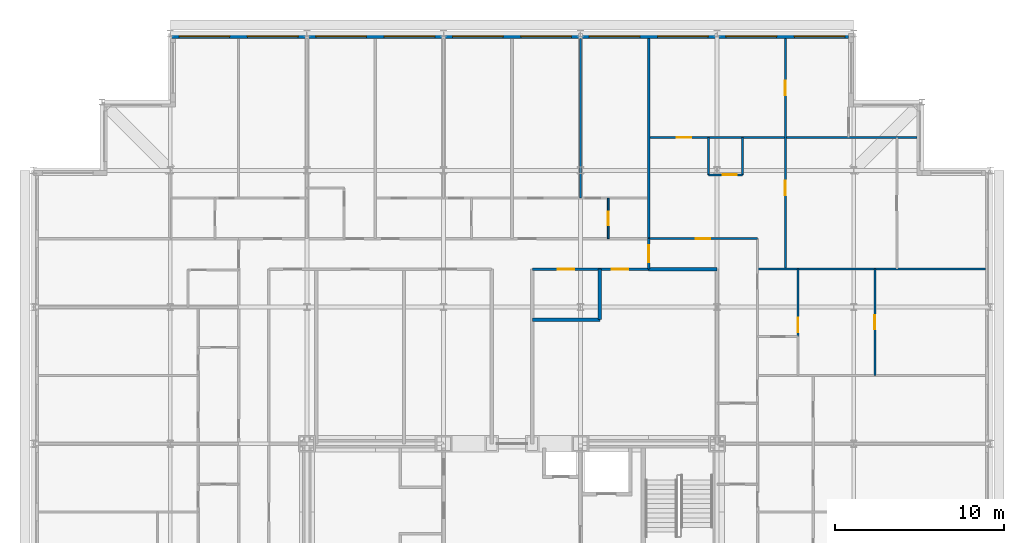
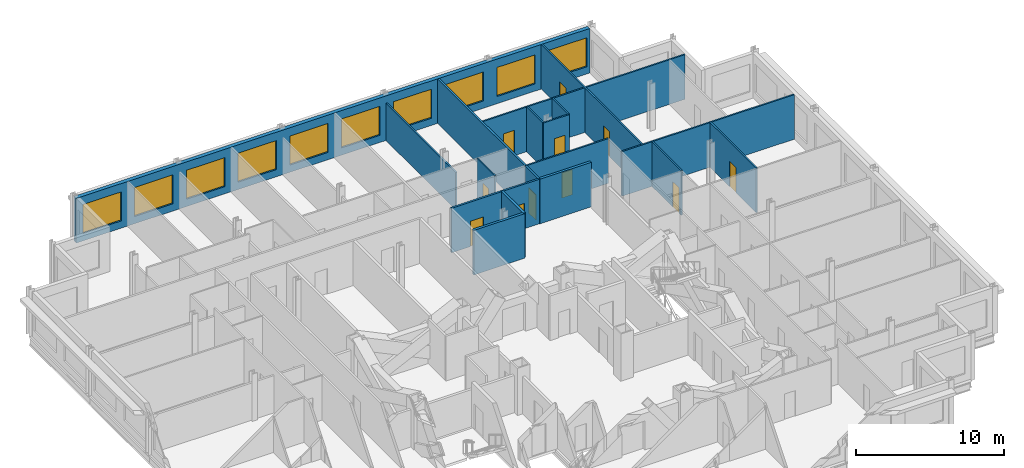
# One storey, part 13 of 15: 18 walls, 11 doors, 10 windows, 21 openings.
"""IFC4 building model written with IfcOpenShell, lengths in metres."""

from ifc_helpers import new_model, si_unit, direction, frame, frame_2d, origin, place, context, subcontext, project, spatial, rectangle, extrude, material, layer, layer_set, type_object, element, fill, save


model = new_model("IFC4")

# Units and contexts
model_context = context("Model", 3, precision=1e-05, world=origin(), true_north=direction((0.0, 1.0)))
body_context = subcontext(model_context, "Body", "Model", "MODEL_VIEW")
ifc_project = project(units=[si_unit("LENGTHUNIT", "METRE"), si_unit("AREAUNIT", "SQUARE_METRE"), si_unit("VOLUMEUNIT", "CUBIC_METRE"), si_unit("PLANEANGLEUNIT", "RADIAN"), si_unit("MASSUNIT", "GRAM", prefix="KILO")], contexts=[model_context])

# Site, building, storey
site_placement = place(None, origin())
site = spatial("IfcSite", under=ifc_project, at=site_placement, CompositionType="ELEMENT")
building_placement = place(site_placement, origin())
building = spatial("IfcBuilding", under=site, at=building_placement, Name="Kopane Lantern Tower", CompositionType="ELEMENT")
storey_placement = place(building_placement, frame((0.0, 0.0, 277.5)))
storey = spatial("IfcBuildingStorey", under=building, at=storey_placement, Name="L71", CompositionType="ELEMENT", Elevation=277.5)

# Wall
ifc_material_1 = material(Name="Gypsum board on steel studs", Category="steel")
ifc_layer_1 = layer(ifc_material_1, 0.1201171875)
ifc_layer_set_1 = layer_set([ifc_layer_1], Name="APARTMENT INTERNAL WALL 120")
wall_type_1 = type_object("IfcWallType", Name="APARTMENT INTERNAL WALL 120", PredefinedType="PARTITIONING", material=ifc_layer_set_1)
wall_1_placement = place(storey_placement, frame((32.39990234375, 55.050048828125, 0.0), z_axis=(0.0, 0.0, 1.0), x_axis=(0.0, 1.0, 0.0)))
element("IfcWall", 1, at=wall_1_placement, inside=storey, type_object=wall_type_1, Name="Apartment Internal Wall 120 L71", PredefinedType="PARTITIONING", context=body_context, shape_type="SweptSolid", body=[
    extrude(rectangle(XDim=9.449951171875, YDim=0.1201171875, at=frame_2d((4.72509765625, 0.0))), origin(), (0.0, 0.0, 1.0), 3.077880859375),
])

# Wall, opening, door
wall_2_placement = place(storey_placement, frame((36.449951171875, 52.64990234375, 0.0), z_axis=(0.0, 0.0, 1.0), x_axis=(1.0, 0.0, 0.0)))
wall_2 = element("IfcWall", 2, at=wall_2_placement, inside=storey, type_object=wall_type_1, Name="Apartment Internal Wall 120 L71", PredefinedType="PARTITIONING", context=body_context, shape_type="SweptSolid", body=[
    extrude(rectangle(XDim=6.449951171875, YDim=0.1201171875, at=frame_2d((3.22509765625, 0.0))), origin(), (0.0, 0.0, 1.0), 3.68994140625),
])
opening_1_placement = place(wall_2_placement, frame((2.800048828125, 0.0, 0.0)))
opening_1 = element("IfcOpeningElement", 3, at=opening_1_placement, cuts=wall_2, Name="Opening L71-056", PredefinedType="OPENING", context=body_context, shape_type="SweptSolid", body=[
    extrude(rectangle(XDim=0.85009765625, YDim=2.10009765625, at=frame_2d((0.425048828125, 1.050048828125))), frame((0.0, 0.070068359375, 0.0), z_axis=(0.0, -1.0, 0.0), x_axis=(1.0, 0.0, 0.0)), (0.0, 0.0, 1.0), 0.14013671875),
])
ifc_material_2 = material(Name="Timber door set", Category="wood")
door_type_1 = type_object("IfcDoorType", Name="DOOR D4 850x2100", OperationType="SINGLE_SWING_LEFT", PredefinedType="DOOR", material=ifc_material_2)
door_1_placement = place(opening_1_placement, origin())
door_1 = element("IfcDoor", 4, at=door_1_placement, inside=storey, type_object=door_type_1, Name="Door L71-056", OperationType="SINGLE_SWING_LEFT", OverallHeight=2.10009765625, OverallWidth=0.85009765625, PredefinedType="DOOR", context=body_context, shape_type="SweptSolid", body=[
    extrude(rectangle(XDim=0.85009765625, YDim=2.10009765625, at=frame_2d((0.425048828125, 1.050048828125))), frame((0.0, 0.02490234375, 0.0), z_axis=(0.0, -1.0, 0.0), x_axis=(1.0, 0.0, 0.0)), (0.0, 0.0, 1.0), 0.050048828125),
])
fill(opening_1, door_1)

# Wall
wall_3_placement = place(storey_placement, frame((42.89990234375, 50.85009765625, 0.0), z_axis=(0.0, 0.0, 1.0), x_axis=(1.0, 0.0, 0.0)))
element("IfcWall", 5, at=wall_3_placement, inside=storey, type_object=wall_type_1, Name="Apartment Internal Wall 120 L71", PredefinedType="PARTITIONING", context=body_context, shape_type="SweptSolid", body=[
    extrude(rectangle(XDim=13.5, YDim=0.1201171875, at=frame_2d((6.75, 0.0))), origin(), (0.0, 0.0, 1.0), 3.68994140625),
])

# Wall, opening, door
wall_4_placement = place(storey_placement, frame((36.449951171875, 58.64990234375, 0.0), z_axis=(0.0, 0.0, 1.0), x_axis=(1.0, 0.0, 0.0)))
wall_4 = element("IfcWall", 6, at=wall_4_placement, inside=storey, type_object=wall_type_1, Name="Apartment Internal Wall 120 L71", PredefinedType="PARTITIONING", context=body_context, shape_type="SweptSolid", body=[
    extrude(rectangle(XDim=15.900146484375, YDim=0.1201171875, at=frame_2d((7.9501953125, 0.0))), origin(), (0.0, 0.0, 1.0), 3.68994140625),
])
opening_2_placement = place(wall_4_placement, frame((1.675048828125, 0.0, 0.0)))
opening_2 = element("IfcOpeningElement", 7, at=opening_2_placement, cuts=wall_4, Name="Opening L71-057", PredefinedType="OPENING", context=body_context, shape_type="SweptSolid", body=[
    extrude(rectangle(XDim=0.85009765625, YDim=2.10009765625, at=frame_2d((0.425048828125, 1.050048828125))), frame((0.0, 0.070068359375, 0.0), z_axis=(0.0, -1.0, 0.0), x_axis=(1.0, 0.0, 0.0)), (0.0, 0.0, 1.0), 0.14013671875),
])
door_2_placement = place(opening_2_placement, origin())
door_2 = element("IfcDoor", 8, at=door_2_placement, inside=storey, type_object=door_type_1, Name="Door L71-057", OperationType="SINGLE_SWING_LEFT", OverallHeight=2.10009765625, OverallWidth=0.85009765625, PredefinedType="DOOR", context=body_context, shape_type="SweptSolid", body=[
    extrude(rectangle(XDim=0.85009765625, YDim=2.10009765625, at=frame_2d((0.425048828125, 1.050048828125))), frame((0.0, 0.02490234375, 0.0), z_axis=(0.0, -1.0, 0.0), x_axis=(1.0, 0.0, 0.0)), (0.0, 0.0, 1.0), 0.050048828125),
])
fill(opening_2, door_2)

# Wall, openings, doors
wall_5_placement = place(storey_placement, frame((44.550048828125, 64.5, 0.0), z_axis=(0.0, 0.0, 1.0), x_axis=(0.0, -1.0, 0.0)))
wall_5 = element("IfcWall", 9, at=wall_5_placement, inside=storey, type_object=wall_type_1, Name="Apartment Internal Wall 120 L71", PredefinedType="PARTITIONING", context=body_context, shape_type="SweptSolid", body=[
    extrude(rectangle(XDim=13.64990234375, YDim=0.1201171875, at=frame_2d((6.824951171875, 0.0))), origin(), (0.0, 0.0, 1.0), 3.68994140625),
])
opening_3_placement = place(wall_5_placement, frame((8.425048828125, 0.0, 0.0)))
opening_3 = element("IfcOpeningElement", 10, at=opening_3_placement, cuts=wall_5, Name="Opening L71-058", PredefinedType="OPENING", context=body_context, shape_type="SweptSolid", body=[
    extrude(rectangle(XDim=0.85009765625, YDim=2.10009765625, at=frame_2d((0.425048828125, 1.050048828125))), frame((0.0, 0.070068359375, 0.0), z_axis=(0.0, -1.0, 0.0), x_axis=(1.0, 0.0, 0.0)), (0.0, 0.0, 1.0), 0.14013671875),
])
opening_4_placement = place(wall_5_placement, frame((2.5, 0.0, 0.0)))
opening_4 = element("IfcOpeningElement", 11, at=opening_4_placement, cuts=wall_5, Name="Opening L71-059", PredefinedType="OPENING", context=body_context, shape_type="SweptSolid", body=[
    extrude(rectangle(XDim=0.85009765625, YDim=2.10009765625, at=frame_2d((0.425048828125, 1.050048828125))), frame((0.0, 0.070068359375, 0.0), z_axis=(0.0, -1.0, 0.0), x_axis=(1.0, 0.0, 0.0)), (0.0, 0.0, 1.0), 0.14013671875),
])
door_3_placement = place(opening_3_placement, origin())
door_3 = element("IfcDoor", 12, at=door_3_placement, inside=storey, type_object=door_type_1, Name="Door L71-058", OperationType="SINGLE_SWING_LEFT", OverallHeight=2.10009765625, OverallWidth=0.85009765625, PredefinedType="DOOR", context=body_context, shape_type="SweptSolid", body=[
    extrude(rectangle(XDim=0.85009765625, YDim=2.10009765625, at=frame_2d((0.425048828125, 1.050048828125))), frame((0.0, 0.02490234375, 0.0), z_axis=(0.0, -1.0, 0.0), x_axis=(1.0, 0.0, 0.0)), (0.0, 0.0, 1.0), 0.050048828125),
])
fill(opening_3, door_3)
door_4_placement = place(opening_4_placement, origin())
door_4 = element("IfcDoor", 13, at=door_4_placement, inside=storey, type_object=door_type_1, Name="Door L71-059", OperationType="SINGLE_SWING_RIGHT", OverallHeight=2.10009765625, OverallWidth=0.85009765625, PredefinedType="DOOR", context=body_context, shape_type="SweptSolid", body=[
    extrude(rectangle(XDim=0.85009765625, YDim=2.10009765625, at=frame_2d((0.425048828125, 1.050048828125))), frame((0.0, 0.02490234375, 0.0), z_axis=(0.0, -1.0, 0.0), x_axis=(1.0, 0.0, 0.0)), (0.0, 0.0, 1.0), 0.050048828125),
])
fill(opening_4, door_4)

# Wall, opening, door
wall_6_placement = place(storey_placement, frame((45.300048828125, 50.85009765625, 0.0), z_axis=(0.0, 0.0, 1.0), x_axis=(0.0, -1.0, 0.0)))
wall_6 = element("IfcWall", 14, at=wall_6_placement, inside=storey, type_object=wall_type_1, Name="Apartment Internal Wall 120 L71", PredefinedType="PARTITIONING", context=body_context, shape_type="SweptSolid", body=[
    extrude(rectangle(XDim=4.010009765625, YDim=0.1201171875, at=frame_2d((2.0048828125, 0.0))), origin(), (0.0, 0.0, 1.0), 3.68994140625),
])
opening_5_placement = place(wall_6_placement, frame((2.885009765625, 0.0, 0.0)))
opening_5 = element("IfcOpeningElement", 15, at=opening_5_placement, cuts=wall_6, Name="Opening L71-066", PredefinedType="OPENING", context=body_context, shape_type="SweptSolid", body=[
    extrude(rectangle(XDim=0.85009765625, YDim=2.10009765625, at=frame_2d((0.425048828125, 1.050048828125))), frame((0.0, 0.070068359375, 0.0), z_axis=(0.0, -1.0, 0.0), x_axis=(1.0, 0.0, 0.0)), (0.0, 0.0, 1.0), 0.14013671875),
])
door_5_placement = place(opening_5_placement, origin())
door_5 = element("IfcDoor", 16, at=door_5_placement, inside=storey, type_object=door_type_1, Name="Door L71-066", OperationType="SINGLE_SWING_LEFT", OverallHeight=2.10009765625, OverallWidth=0.85009765625, PredefinedType="DOOR", context=body_context, shape_type="SweptSolid", body=[
    extrude(rectangle(XDim=0.85009765625, YDim=2.10009765625, at=frame_2d((0.425048828125, 1.050048828125))), frame((0.0, 0.02490234375, 0.0), z_axis=(0.0, -1.0, 0.0), x_axis=(1.0, 0.0, 0.0)), (0.0, 0.0, 1.0), 0.050048828125),
])
fill(opening_5, door_5)

wall_7_placement = place(storey_placement, frame((49.85009765625, 44.550048828125, 0.0), z_axis=(0.0, 0.0, 1.0), x_axis=(0.0, 1.0, 0.0)))
wall_7 = element("IfcWall", 17, at=wall_7_placement, inside=storey, type_object=wall_type_1, Name="Apartment Internal Wall 120 L71", PredefinedType="PARTITIONING", context=body_context, shape_type="SweptSolid", body=[
    extrude(rectangle(XDim=6.300048828125, YDim=0.1201171875, at=frame_2d((3.14990234375, 0.0))), origin(), (0.0, 0.0, 1.0), 3.68994140625),
])
opening_6_placement = place(wall_7_placement, frame((2.72509765625, 0.0, 0.0)))
opening_6 = element("IfcOpeningElement", 18, at=opening_6_placement, cuts=wall_7, Name="Opening L71-073", PredefinedType="OPENING", context=body_context, shape_type="SweptSolid", body=[
    extrude(rectangle(XDim=0.85009765625, YDim=2.10009765625, at=frame_2d((0.425048828125, 1.050048828125))), frame((0.0, 0.070068359375, 0.0), z_axis=(0.0, -1.0, 0.0), x_axis=(1.0, 0.0, 0.0)), (0.0, 0.0, 1.0), 0.14013671875),
])
door_6_placement = place(opening_6_placement, origin())
door_6 = element("IfcDoor", 19, at=door_6_placement, inside=storey, type_object=door_type_1, Name="Door L71-073", OperationType="SINGLE_SWING_LEFT", OverallHeight=2.10009765625, OverallWidth=0.85009765625, PredefinedType="DOOR", context=body_context, shape_type="SweptSolid", body=[
    extrude(rectangle(XDim=0.85009765625, YDim=2.10009765625, at=frame_2d((0.425048828125, 1.050048828125))), frame((0.0, 0.02490234375, 0.0), z_axis=(0.0, -1.0, 0.0), x_axis=(1.0, 0.0, 0.0)), (0.0, 0.0, 1.0), 0.050048828125),
])
fill(opening_6, door_6)

# Walls
for number, where, z_axis, x_axis, name in (
    (20, (39.9970703125, 58.64990234375, 0.0), (0.0, 0.0, 1.0), (0.0, -1.0, 0.0), "Apartment Internal Wall 120 L71"),
    (21, (42.0029296875, 58.64990234375, 0.0), (0.0, 0.0, 1.0), (0.0, -1.0, 0.0), "Apartment Internal Wall 120 L71"),
):
    element("IfcWall", number, at=place(storey_placement, frame(where, z_axis=z_axis, x_axis=x_axis)), inside=storey, type_object=wall_type_1, Name=name, PredefinedType="PARTITIONING", context=body_context, shape_type="SweptSolid", body=[
        extrude(rectangle(XDim=2.212890625, YDim=0.1201171875, at=frame_2d((1.1064453125, 0.0))), origin(), (0.0, 0.0, 1.0), 3.68994140625),
    ])

# Wall, opening, door
wall_8_placement = place(storey_placement, frame((39.9970703125, 56.43701171875, 0.0), z_axis=(0.0, 0.0, 1.0), x_axis=(1.0, 0.0, 0.0)))
wall_8 = element("IfcWall", 22, at=wall_8_placement, inside=storey, type_object=wall_type_1, Name="Apartment Internal Wall 120 L71", PredefinedType="PARTITIONING", context=body_context, shape_type="SweptSolid", body=[
    extrude(rectangle(XDim=2.005859375, YDim=0.1201171875, at=frame_2d((1.0029296875, 0.0))), origin(), (0.0, 0.0, 1.0), 3.68994140625),
])
opening_7_placement = place(wall_8_placement, frame((0.8310546875, 0.0, 0.0)))
opening_7 = element("IfcOpeningElement", 23, at=opening_7_placement, cuts=wall_8, Name="Opening L71-075", PredefinedType="OPENING", context=body_context, shape_type="SweptSolid", body=[
    extrude(rectangle(XDim=0.85009765625, YDim=2.10009765625, at=frame_2d((0.425048828125, 1.050048828125))), frame((0.0, 0.070068359375, 0.0), z_axis=(0.0, -1.0, 0.0), x_axis=(1.0, 0.0, 0.0)), (0.0, 0.0, 1.0), 0.14013671875),
])
door_7_placement = place(opening_7_placement, origin())
door_7 = element("IfcDoor", 24, at=door_7_placement, inside=storey, type_object=door_type_1, Name="Door L71-075", OperationType="SINGLE_SWING_RIGHT", OverallHeight=2.10009765625, OverallWidth=0.85009765625, PredefinedType="DOOR", context=body_context, shape_type="SweptSolid", body=[
    extrude(rectangle(XDim=0.85009765625, YDim=2.10009765625, at=frame_2d((0.425048828125, 1.050048828125))), frame((0.0, 0.02490234375, 0.0), z_axis=(0.0, -1.0, 0.0), x_axis=(1.0, 0.0, 0.0)), (0.0, 0.0, 1.0), 0.050048828125),
])
fill(opening_7, door_7)

ifc_material_3 = material(Name="Moisture-resistant board on steel studs", Category="steel")
ifc_layer_2 = layer(ifc_material_3, 0.10009765625)
ifc_layer_set_2 = layer_set([ifc_layer_2], Name="BATHROOM WALL 100")
wall_type_2 = type_object("IfcWallType", Name="BATHROOM WALL 100", PredefinedType="PARTITIONING", material=ifc_layer_set_2)
wall_9_placement = place(storey_placement, frame((34.050048828125, 52.64990234375, 0.0), z_axis=(0.0, 0.0, 1.0), x_axis=(0.0, 1.0, 0.0)))
wall_9 = element("IfcWall", 25, at=wall_9_placement, inside=storey, type_object=wall_type_2, Name="Bathroom Wall 100 L71", PredefinedType="PARTITIONING", context=body_context, shape_type="SweptSolid", body=[
    extrude(rectangle(XDim=2.400146484375, YDim=0.10009765625, at=frame_2d((1.2001953125, 0.0))), origin(), (0.0, 0.0, 1.0), 3.68994140625),
])
opening_8_placement = place(wall_9_placement, frame((0.800048828125, 0.0, 0.0)))
opening_8 = element("IfcOpeningElement", 26, at=opening_8_placement, cuts=wall_9, Name="Opening L71-022", PredefinedType="OPENING", context=body_context, shape_type="SweptSolid", body=[
    extrude(rectangle(XDim=0.800048828125, YDim=2.10009765625, at=frame_2d((0.39990234375, 1.050048828125))), frame((0.0, 0.06005859375, 0.0), z_axis=(0.0, -1.0, 0.0), x_axis=(1.0, 0.0, 0.0)), (0.0, 0.0, 1.0), 0.1201171875),
])
ifc_material_4 = material(Name="Timber door set", Category="wood")
door_type_2 = type_object("IfcDoorType", Name="DOOR D2 800x2100", OperationType="SINGLE_SWING_LEFT", PredefinedType="DOOR", material=ifc_material_4)
door_8_placement = place(opening_8_placement, origin())
door_8 = element("IfcDoor", 27, at=door_8_placement, inside=storey, type_object=door_type_2, Name="Door L71-022", OperationType="SINGLE_SWING_RIGHT", OverallHeight=2.10009765625, OverallWidth=0.800048828125, PredefinedType="DOOR", context=body_context, shape_type="SweptSolid", body=[
    extrude(rectangle(XDim=0.800048828125, YDim=2.10009765625, at=frame_2d((0.39990234375, 1.050048828125))), frame((0.0, 0.02490234375, 0.0), z_axis=(0.0, -1.0, 0.0), x_axis=(1.0, 0.0, 0.0)), (0.0, 0.0, 1.0), 0.050048828125),
])
fill(opening_8, door_8)

# Wall, openings, doors
ifc_material_5 = material(Name="Gypsum board on steel studs", Category="steel")
ifc_layer_3 = layer(ifc_material_5, 0.14990234375)
ifc_layer_set_3 = layer_set([ifc_layer_3], Name="CORRIDOR WALL 150 EI 60")
wall_type_3 = type_object("IfcWallType", Name="CORRIDOR WALL 150 EI 60", PredefinedType="PARTITIONING", material=ifc_layer_set_3)
wall_10_placement = place(storey_placement, frame((29.56005859375, 50.85009765625, 0.0), z_axis=(0.0, 0.0, 1.0), x_axis=(1.0, 0.0, 0.0)))
wall_10 = element("IfcWall", 28, at=wall_10_placement, inside=storey, type_object=wall_type_3, Name="Corridor Wall 150 Ei 60 L71", PredefinedType="PARTITIONING", context=body_context, shape_type="SweptSolid", body=[
    extrude(rectangle(XDim=6.889892578125, YDim=0.14990234375, at=frame_2d((3.44482421875, 0.0))), origin(), (0.0, 0.0, 1.0), 3.68994140625),
])
opening_9_placement = place(wall_10_placement, frame((1.489990234375, 0.0, 0.0)))
opening_9 = element("IfcOpeningElement", 29, at=opening_9_placement, cuts=wall_10, Name="Opening L71-006", PredefinedType="OPENING", context=body_context, shape_type="SweptSolid", body=[
    extrude(rectangle(XDim=1.0, YDim=2.10009765625, at=frame_2d((0.5, 1.050048828125))), frame((0.0, 0.0849609375, 0.0), z_axis=(0.0, -1.0, 0.0), x_axis=(1.0, 0.0, 0.0)), (0.0, 0.0, 1.0), 0.169921875),
])
opening_10_placement = place(wall_10_placement, frame((4.68994140625, 0.0, 0.0)))
opening_10 = element("IfcOpeningElement", 30, at=opening_10_placement, cuts=wall_10, Name="Opening L71-007", PredefinedType="OPENING", context=body_context, shape_type="SweptSolid", body=[
    extrude(rectangle(XDim=1.0, YDim=2.10009765625, at=frame_2d((0.5, 1.050048828125))), frame((0.0, 0.0849609375, 0.0), z_axis=(0.0, -1.0, 0.0), x_axis=(1.0, 0.0, 0.0)), (0.0, 0.0, 1.0), 0.169921875),
])
ifc_material_6 = material(Name="Steel door set", Category="steel")
door_type_3 = type_object("IfcDoorType", Name="DOOR D5 1000x2100 FD60", OperationType="SINGLE_SWING_LEFT", PredefinedType="DOOR", material=ifc_material_6)
door_9_placement = place(opening_9_placement, origin())
door_9 = element("IfcDoor", 31, at=door_9_placement, inside=storey, type_object=door_type_3, Name="Door L71-006", OperationType="SINGLE_SWING_RIGHT", OverallHeight=2.10009765625, OverallWidth=1.0, PredefinedType="DOOR", context=body_context, shape_type="SweptSolid", body=[
    extrude(rectangle(XDim=1.0, YDim=2.10009765625, at=frame_2d((0.5, 1.050048828125))), frame((0.0, 0.02490234375, 0.0), z_axis=(0.0, -1.0, 0.0), x_axis=(1.0, 0.0, 0.0)), (0.0, 0.0, 1.0), 0.050048828125),
])
fill(opening_9, door_9)
door_10_placement = place(opening_10_placement, origin())
door_10 = element("IfcDoor", 32, at=door_10_placement, inside=storey, type_object=door_type_3, Name="Door L71-007", OperationType="SINGLE_SWING_RIGHT", OverallHeight=2.10009765625, OverallWidth=1.0, PredefinedType="DOOR", context=body_context, shape_type="SweptSolid", body=[
    extrude(rectangle(XDim=1.0, YDim=2.10009765625, at=frame_2d((0.5, 1.050048828125))), frame((0.0, 0.02490234375, 0.0), z_axis=(0.0, -1.0, 0.0), x_axis=(1.0, 0.0, 0.0)), (0.0, 0.0, 1.0), 0.050048828125),
])
fill(opening_10, door_10)

# Wall, opening, door
wall_11_placement = place(storey_placement, frame((36.449951171875, 50.85009765625, 0.0), z_axis=(0.0, 0.0, 1.0), x_axis=(0.0, 1.0, 0.0)))
wall_11 = element("IfcWall", 33, at=wall_11_placement, inside=storey, type_object=wall_type_3, Name="Corridor Wall 150 Ei 60 L71", PredefinedType="PARTITIONING", context=body_context, shape_type="SweptSolid", body=[
    extrude(rectangle(XDim=1.7998046875, YDim=0.14990234375, at=frame_2d((0.89990234375, 0.0))), origin(), (0.0, 0.0, 1.0), 3.68994140625),
])
opening_11_placement = place(wall_11_placement, frame((0.39990234375, 0.0, 0.0)))
opening_11 = element("IfcOpeningElement", 34, at=opening_11_placement, cuts=wall_11, Name="Opening L71-054", PredefinedType="OPENING", context=body_context, shape_type="SweptSolid", body=[
    extrude(rectangle(XDim=1.0, YDim=2.10009765625, at=frame_2d((0.5, 1.050048828125))), frame((0.0, 0.0849609375, 0.0), z_axis=(0.0, -1.0, 0.0), x_axis=(1.0, 0.0, 0.0)), (0.0, 0.0, 1.0), 0.169921875),
])
ifc_material_7 = material(Name="Steel door set", Category="steel")
door_type_4 = type_object("IfcDoorType", Name="DOOR D3 1000x2100 FD30S", OperationType="SINGLE_SWING_LEFT", PredefinedType="DOOR", material=ifc_material_7)
door_11_placement = place(opening_11_placement, origin())
door_11 = element("IfcDoor", 35, at=door_11_placement, inside=storey, type_object=door_type_4, Name="Door L71-054", OperationType="SINGLE_SWING_RIGHT", OverallHeight=2.10009765625, OverallWidth=1.0, PredefinedType="DOOR", context=body_context, shape_type="SweptSolid", body=[
    extrude(rectangle(XDim=1.0, YDim=2.10009765625, at=frame_2d((0.5, 1.050048828125))), frame((0.0, 0.02490234375, 0.0), z_axis=(0.0, -1.0, 0.0), x_axis=(1.0, 0.0, 0.0)), (0.0, 0.0, 1.0), 0.050048828125),
])
fill(opening_11, door_11)

# Wall
ifc_material_8 = material(Name="Gypsum board on steel studs", Category="steel")
ifc_layer_4 = layer(ifc_material_8, 0.14990234375)
ifc_layer_set_4 = layer_set([ifc_layer_4], Name="DEMISING WALL 150 EI 60")
wall_type_4 = type_object("IfcWallType", Name="DEMISING WALL 150 EI 60", PredefinedType="PARTITIONING", material=ifc_layer_set_4)
wall_12_placement = place(storey_placement, frame((36.449951171875, 64.5, 0.0), z_axis=(0.0, 0.0, 1.0), x_axis=(0.0, -1.0, 0.0)))
element("IfcWall", 36, at=wall_12_placement, inside=storey, type_object=wall_type_4, Name="Demising Wall 150 Ei 60 L71", PredefinedType="PARTITIONING", context=body_context, shape_type="SweptSolid", body=[
    extrude(rectangle(XDim=11.85009765625, YDim=0.14990234375, at=frame_2d((5.925048828125, 0.0))), origin(), (0.0, 0.0, 1.0), 3.68994140625),
])

# Wall, openings, windows
ifc_material_9 = material(Name="Terracotta rainscreen on light steel framing", Category="masonry")
ifc_layer_5 = layer(ifc_material_9, 0.300048828125)
ifc_layer_set_5 = layer_set([ifc_layer_5], Name="EXTERNAL WALL EW1 300 TERRACOTTA")
wall_type_5 = type_object("IfcWallType", Name="EXTERNAL WALL EW1 300 TERRACOTTA", PredefinedType="SOLIDWALL", material=ifc_layer_set_5)
wall_13_placement = place(storey_placement, frame((48.300048828125, 64.64990234375, 0.0), z_axis=(0.0, 0.0, 1.0), x_axis=(-1.0, 0.0, 0.0)))
wall_13 = element("IfcWall", 37, at=wall_13_placement, inside=storey, type_object=wall_type_5, Name="External wall N L71", PredefinedType="SOLIDWALL", context=body_context, shape_type="SweptSolid", body=[
    extrude(rectangle(XDim=40.199951171875, YDim=0.300048828125, at=frame_2d((20.10009765625, 0.0))), origin(), (0.0, 0.0, 1.0), 3.68994140625),
])
opening_12_placement = place(wall_13_placement, frame((0.22509765625, 0.0, 0.60009765625)))
opening_12 = element("IfcOpeningElement", 38, at=opening_12_placement, cuts=wall_13, Name="Opening WR300240", PredefinedType="OPENING", context=body_context, shape_type="SweptSolid", body=[
    extrude(rectangle(XDim=3.0, YDim=2.39990234375, at=frame_2d((1.5, 1.199951171875))), frame((0.0, 0.159912109375, 0.0), z_axis=(0.0, -1.0, 0.0), x_axis=(1.0, 0.0, 0.0)), (0.0, 0.0, 1.0), 0.320068359375),
])
opening_13_placement = place(wall_13_placement, frame((4.27490234375, 0.0, 0.60009765625)))
opening_13 = element("IfcOpeningElement", 39, at=opening_13_placement, cuts=wall_13, Name="Opening WR300240", PredefinedType="OPENING", context=body_context, shape_type="SweptSolid", body=[
    extrude(rectangle(XDim=3.0, YDim=2.39990234375, at=frame_2d((1.5, 1.199951171875))), frame((0.0, 0.159912109375, 0.0), z_axis=(0.0, -1.0, 0.0), x_axis=(1.0, 0.0, 0.0)), (0.0, 0.0, 1.0), 0.320068359375),
])
opening_14_placement = place(wall_13_placement, frame((8.324951171875, 0.0, 0.60009765625)))
opening_14 = element("IfcOpeningElement", 40, at=opening_14_placement, cuts=wall_13, Name="Opening WR300240", PredefinedType="OPENING", context=body_context, shape_type="SweptSolid", body=[
    extrude(rectangle(XDim=3.0, YDim=2.39990234375, at=frame_2d((1.5, 1.199951171875))), frame((0.0, 0.159912109375, 0.0), z_axis=(0.0, -1.0, 0.0), x_axis=(1.0, 0.0, 0.0)), (0.0, 0.0, 1.0), 0.320068359375),
])
opening_15_placement = place(wall_13_placement, frame((12.375, 0.0, 0.60009765625)))
opening_15 = element("IfcOpeningElement", 41, at=opening_15_placement, cuts=wall_13, Name="Opening WR300240", PredefinedType="OPENING", context=body_context, shape_type="SweptSolid", body=[
    extrude(rectangle(XDim=3.0, YDim=2.39990234375, at=frame_2d((1.5, 1.199951171875))), frame((0.0, 0.159912109375, 0.0), z_axis=(0.0, -1.0, 0.0), x_axis=(1.0, 0.0, 0.0)), (0.0, 0.0, 1.0), 0.320068359375),
])
opening_16_placement = place(wall_13_placement, frame((16.425048828125, 0.0, 0.60009765625)))
opening_16 = element("IfcOpeningElement", 42, at=opening_16_placement, cuts=wall_13, Name="Opening WR300240", PredefinedType="OPENING", context=body_context, shape_type="SweptSolid", body=[
    extrude(rectangle(XDim=3.0, YDim=2.39990234375, at=frame_2d((1.5, 1.199951171875))), frame((0.0, 0.159912109375, 0.0), z_axis=(0.0, -1.0, 0.0), x_axis=(1.0, 0.0, 0.0)), (0.0, 0.0, 1.0), 0.320068359375),
])
opening_17_placement = place(wall_13_placement, frame((20.47509765625, 0.0, 0.60009765625)))
opening_17 = element("IfcOpeningElement", 43, at=opening_17_placement, cuts=wall_13, Name="Opening WR300240", PredefinedType="OPENING", context=body_context, shape_type="SweptSolid", body=[
    extrude(rectangle(XDim=3.0, YDim=2.39990234375, at=frame_2d((1.5, 1.199951171875))), frame((0.0, 0.159912109375, 0.0), z_axis=(0.0, -1.0, 0.0), x_axis=(1.0, 0.0, 0.0)), (0.0, 0.0, 1.0), 0.320068359375),
])
opening_18_placement = place(wall_13_placement, frame((24.52490234375, 0.0, 0.60009765625)))
opening_18 = element("IfcOpeningElement", 44, at=opening_18_placement, cuts=wall_13, Name="Opening WR300240", PredefinedType="OPENING", context=body_context, shape_type="SweptSolid", body=[
    extrude(rectangle(XDim=3.0, YDim=2.39990234375, at=frame_2d((1.5, 1.199951171875))), frame((0.0, 0.159912109375, 0.0), z_axis=(0.0, -1.0, 0.0), x_axis=(1.0, 0.0, 0.0)), (0.0, 0.0, 1.0), 0.320068359375),
])
opening_19_placement = place(wall_13_placement, frame((28.574951171875, 0.0, 0.60009765625)))
opening_19 = element("IfcOpeningElement", 45, at=opening_19_placement, cuts=wall_13, Name="Opening WR300240", PredefinedType="OPENING", context=body_context, shape_type="SweptSolid", body=[
    extrude(rectangle(XDim=3.0, YDim=2.39990234375, at=frame_2d((1.5, 1.199951171875))), frame((0.0, 0.159912109375, 0.0), z_axis=(0.0, -1.0, 0.0), x_axis=(1.0, 0.0, 0.0)), (0.0, 0.0, 1.0), 0.320068359375),
])
opening_20_placement = place(wall_13_placement, frame((32.625, 0.0, 0.60009765625)))
opening_20 = element("IfcOpeningElement", 46, at=opening_20_placement, cuts=wall_13, Name="Opening WR300240", PredefinedType="OPENING", context=body_context, shape_type="SweptSolid", body=[
    extrude(rectangle(XDim=3.0, YDim=2.39990234375, at=frame_2d((1.5, 1.199951171875))), frame((0.0, 0.159912109375, 0.0), z_axis=(0.0, -1.0, 0.0), x_axis=(1.0, 0.0, 0.0)), (0.0, 0.0, 1.0), 0.320068359375),
])
opening_21_placement = place(wall_13_placement, frame((36.675048828125, 0.0, 0.60009765625)))
opening_21 = element("IfcOpeningElement", 47, at=opening_21_placement, cuts=wall_13, Name="Opening WR300240", PredefinedType="OPENING", context=body_context, shape_type="SweptSolid", body=[
    extrude(rectangle(XDim=3.0, YDim=2.39990234375, at=frame_2d((1.5, 1.199951171875))), frame((0.0, 0.159912109375, 0.0), z_axis=(0.0, -1.0, 0.0), x_axis=(1.0, 0.0, 0.0)), (0.0, 0.0, 1.0), 0.320068359375),
])
ifc_material_10 = material(Name="Aluminium and clear glass", Category="aluminium")
window_type = type_object("IfcWindowType", Name="RIBBON WINDOW WR300240 3000x2400", PartitioningType="SINGLE_PANEL", PredefinedType="WINDOW", material=ifc_material_10)
window_1_placement = place(opening_12_placement, origin())
window_1 = element("IfcWindow", 48, at=window_1_placement, inside=storey, type_object=window_type, Name="Window N L71", OverallHeight=2.39990234375, OverallWidth=3.0, PartitioningType="SINGLE_PANEL", PredefinedType="WINDOW", context=body_context, shape_type="SweptSolid", body=[
    extrude(rectangle(XDim=3.0, YDim=2.39990234375, at=frame_2d((1.5, 1.199951171875))), frame((0.0, 0.030029296875, 0.0), z_axis=(0.0, -1.0, 0.0), x_axis=(1.0, 0.0, 0.0)), (0.0, 0.0, 1.0), 0.06005859375),
])
fill(opening_12, window_1)
window_2_placement = place(opening_13_placement, origin())
window_2 = element("IfcWindow", 49, at=window_2_placement, inside=storey, type_object=window_type, Name="Window N L71", OverallHeight=2.39990234375, OverallWidth=3.0, PartitioningType="SINGLE_PANEL", PredefinedType="WINDOW", context=body_context, shape_type="SweptSolid", body=[
    extrude(rectangle(XDim=3.0, YDim=2.39990234375, at=frame_2d((1.5, 1.199951171875))), frame((0.0, 0.030029296875, 0.0), z_axis=(0.0, -1.0, 0.0), x_axis=(1.0, 0.0, 0.0)), (0.0, 0.0, 1.0), 0.06005859375),
])
fill(opening_13, window_2)
window_3_placement = place(opening_14_placement, origin())
window_3 = element("IfcWindow", 50, at=window_3_placement, inside=storey, type_object=window_type, Name="Window N L71", OverallHeight=2.39990234375, OverallWidth=3.0, PartitioningType="SINGLE_PANEL", PredefinedType="WINDOW", context=body_context, shape_type="SweptSolid", body=[
    extrude(rectangle(XDim=3.0, YDim=2.39990234375, at=frame_2d((1.5, 1.199951171875))), frame((0.0, 0.030029296875, 0.0), z_axis=(0.0, -1.0, 0.0), x_axis=(1.0, 0.0, 0.0)), (0.0, 0.0, 1.0), 0.06005859375),
])
fill(opening_14, window_3)
window_4_placement = place(opening_15_placement, origin())
window_4 = element("IfcWindow", 51, at=window_4_placement, inside=storey, type_object=window_type, Name="Window N L71", OverallHeight=2.39990234375, OverallWidth=3.0, PartitioningType="SINGLE_PANEL", PredefinedType="WINDOW", context=body_context, shape_type="SweptSolid", body=[
    extrude(rectangle(XDim=3.0, YDim=2.39990234375, at=frame_2d((1.5, 1.199951171875))), frame((0.0, 0.030029296875, 0.0), z_axis=(0.0, -1.0, 0.0), x_axis=(1.0, 0.0, 0.0)), (0.0, 0.0, 1.0), 0.06005859375),
])
fill(opening_15, window_4)
window_5_placement = place(opening_16_placement, origin())
window_5 = element("IfcWindow", 52, at=window_5_placement, inside=storey, type_object=window_type, Name="Window N L71", OverallHeight=2.39990234375, OverallWidth=3.0, PartitioningType="SINGLE_PANEL", PredefinedType="WINDOW", context=body_context, shape_type="SweptSolid", body=[
    extrude(rectangle(XDim=3.0, YDim=2.39990234375, at=frame_2d((1.5, 1.199951171875))), frame((0.0, 0.030029296875, 0.0), z_axis=(0.0, -1.0, 0.0), x_axis=(1.0, 0.0, 0.0)), (0.0, 0.0, 1.0), 0.06005859375),
])
fill(opening_16, window_5)
window_6_placement = place(opening_17_placement, origin())
window_6 = element("IfcWindow", 53, at=window_6_placement, inside=storey, type_object=window_type, Name="Window N L71", OverallHeight=2.39990234375, OverallWidth=3.0, PartitioningType="SINGLE_PANEL", PredefinedType="WINDOW", context=body_context, shape_type="SweptSolid", body=[
    extrude(rectangle(XDim=3.0, YDim=2.39990234375, at=frame_2d((1.5, 1.199951171875))), frame((0.0, 0.030029296875, 0.0), z_axis=(0.0, -1.0, 0.0), x_axis=(1.0, 0.0, 0.0)), (0.0, 0.0, 1.0), 0.06005859375),
])
fill(opening_17, window_6)
window_7_placement = place(opening_18_placement, origin())
window_7 = element("IfcWindow", 54, at=window_7_placement, inside=storey, type_object=window_type, Name="Window N L71", OverallHeight=2.39990234375, OverallWidth=3.0, PartitioningType="SINGLE_PANEL", PredefinedType="WINDOW", context=body_context, shape_type="SweptSolid", body=[
    extrude(rectangle(XDim=3.0, YDim=2.39990234375, at=frame_2d((1.5, 1.199951171875))), frame((0.0, 0.030029296875, 0.0), z_axis=(0.0, -1.0, 0.0), x_axis=(1.0, 0.0, 0.0)), (0.0, 0.0, 1.0), 0.06005859375),
])
fill(opening_18, window_7)
window_8_placement = place(opening_19_placement, origin())
window_8 = element("IfcWindow", 55, at=window_8_placement, inside=storey, type_object=window_type, Name="Window N L71", OverallHeight=2.39990234375, OverallWidth=3.0, PartitioningType="SINGLE_PANEL", PredefinedType="WINDOW", context=body_context, shape_type="SweptSolid", body=[
    extrude(rectangle(XDim=3.0, YDim=2.39990234375, at=frame_2d((1.5, 1.199951171875))), frame((0.0, 0.030029296875, 0.0), z_axis=(0.0, -1.0, 0.0), x_axis=(1.0, 0.0, 0.0)), (0.0, 0.0, 1.0), 0.06005859375),
])
fill(opening_19, window_8)
window_9_placement = place(opening_20_placement, origin())
window_9 = element("IfcWindow", 56, at=window_9_placement, inside=storey, type_object=window_type, Name="Window N L71", OverallHeight=2.39990234375, OverallWidth=3.0, PartitioningType="SINGLE_PANEL", PredefinedType="WINDOW", context=body_context, shape_type="SweptSolid", body=[
    extrude(rectangle(XDim=3.0, YDim=2.39990234375, at=frame_2d((1.5, 1.199951171875))), frame((0.0, 0.030029296875, 0.0), z_axis=(0.0, -1.0, 0.0), x_axis=(1.0, 0.0, 0.0)), (0.0, 0.0, 1.0), 0.06005859375),
])
fill(opening_20, window_9)
window_10_placement = place(opening_21_placement, origin())
window_10 = element("IfcWindow", 57, at=window_10_placement, inside=storey, type_object=window_type, Name="Window N L71", OverallHeight=2.39990234375, OverallWidth=3.0, PartitioningType="SINGLE_PANEL", PredefinedType="WINDOW", context=body_context, shape_type="SweptSolid", body=[
    extrude(rectangle(XDim=3.0, YDim=2.39990234375, at=frame_2d((1.5, 1.199951171875))), frame((0.0, 0.030029296875, 0.0), z_axis=(0.0, -1.0, 0.0), x_axis=(1.0, 0.0, 0.0)), (0.0, 0.0, 1.0), 0.06005859375),
])
fill(opening_21, window_10)

# Walls
ifc_material_11 = material(Name="Concrete masonry", Category="masonry")
ifc_layer_6 = layer(ifc_material_11, 0.199951171875)
ifc_layer_set_6 = layer_set([ifc_layer_6], Name="PLANT ROOM WALL 200 EI 120")
wall_type_6 = type_object("IfcWallType", Name="PLANT ROOM WALL 200 EI 120", PredefinedType="SOLIDWALL", material=ifc_layer_set_6)
wall_14_placement = place(storey_placement, frame((33.550048828125, 50.85009765625, 0.0), z_axis=(0.0, 0.0, 1.0), x_axis=(0.0, -1.0, 0.0)))
element("IfcWall", 58, at=wall_14_placement, inside=storey, type_object=wall_type_6, Name="Plant Room Wall 200 Ei 120 L71", PredefinedType="SOLIDWALL", context=body_context, shape_type="SweptSolid", body=[
    extrude(rectangle(XDim=3.0, YDim=0.199951171875, at=frame_2d((1.5, 0.0))), origin(), (0.0, 0.0, 1.0), 3.68994140625),
])
wall_15_placement = place(storey_placement, frame((29.550048828125, 47.85009765625, 0.0), z_axis=(0.0, 0.0, 1.0), x_axis=(1.0, 0.0, 0.0)))
element("IfcWall", 59, at=wall_15_placement, inside=storey, type_object=wall_type_6, Name="Plant Room Wall 200 Ei 120 L71", PredefinedType="SOLIDWALL", context=body_context, shape_type="SweptSolid", body=[
    extrude(rectangle(XDim=4.0, YDim=0.199951171875, at=frame_2d((2.0, 0.0))), origin(), (0.0, 0.0, 1.0), 3.68994140625),
])
wall_16_placement = place(storey_placement, frame((36.449951171875, 50.85009765625, 0.0), z_axis=(0.0, 0.0, 1.0), x_axis=(1.0, 0.0, 0.0)))
element("IfcWall", 60, at=wall_16_placement, inside=storey, type_object=wall_type_6, Name="Plant Room Wall 200 Ei 120 L71", PredefinedType="SOLIDWALL", context=body_context, shape_type="SweptSolid", body=[
    extrude(rectangle(XDim=4.050048828125, YDim=0.199951171875, at=frame_2d((2.02490234375, 0.0))), origin(), (0.0, 0.0, 1.0), 3.68994140625),
])

save(model, "model.ifc")
